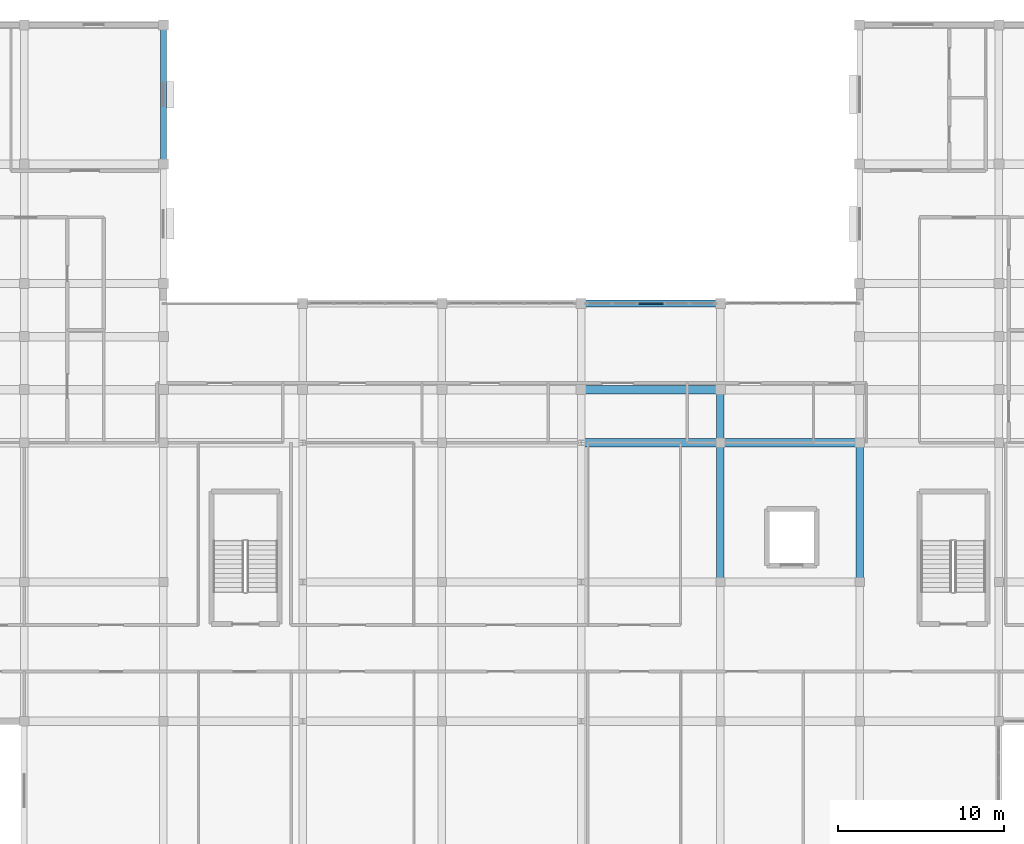
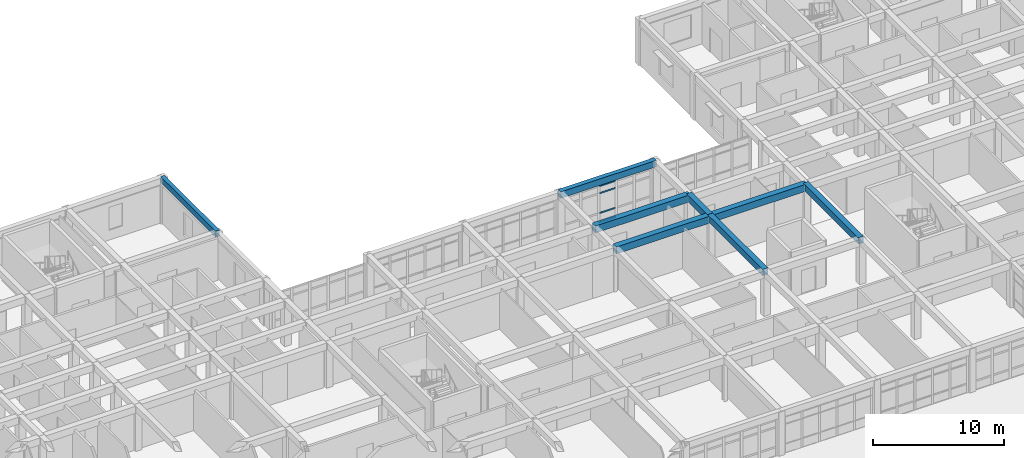
# One storey, part 22 of 77: 8 beams, 4 members, 1 element without a shape of its own.
"""IFC4 building model written with IfcOpenShell, lengths in metres."""

from ifc_helpers import new_model, si_unit, direction, frame, origin, origin_2d, place, context, subcontext, project, spatial, rectangle, extrude, material, material_profile, profile_set, type_object, element, aggregate, save


model = new_model("IFC4")

# Units and contexts
model_context = context("Model", 3, precision=1e-05, world=origin(), true_north=direction((0.0, 1.0)))
body_context = subcontext(model_context, "Body", "Model", "MODEL_VIEW")
ifc_project = project(units=[si_unit("LENGTHUNIT", "METRE"), si_unit("AREAUNIT", "SQUARE_METRE"), si_unit("VOLUMEUNIT", "CUBIC_METRE"), si_unit("PLANEANGLEUNIT", "RADIAN"), si_unit("MASSUNIT", "GRAM", prefix="KILO")], contexts=[model_context])

# Site, building, storey
site_placement = place(None, origin())
site = spatial("IfcSite", under=ifc_project, at=site_placement, CompositionType="ELEMENT")
building_placement = place(site_placement, origin())
building = spatial("IfcBuilding", under=site, at=building_placement, Name="Varncliffe General Hospital", CompositionType="ELEMENT")
storey_placement = place(building_placement, frame((0.0, 0.0, 16.199951171875)))
storey = spatial("IfcBuildingStorey", under=building, at=storey_placement, Name="L03", CompositionType="ELEMENT", Elevation=16.199951171875)

# Beams
ifc_material_1 = material(Name="Concrete C35/45 (CSA A23.1 35 MPa)", Category="concrete")
ifc_material_profile_1 = material_profile(ifc_material_1, rectangle(XDim=0.5, YDim=0.64990234375, at=origin_2d()), Name="RC 500x650")
ifc_profile_set_1 = profile_set([ifc_material_profile_1], Name="Concrete C35/45 (CSA A23.1 35 MPa)")
beam_type_1 = type_object("IfcBeamType", Name="Beam B29 (Int RC 500x650)", PredefinedType="BEAM", material=ifc_profile_set_1)
beam_1_placement = place(storey_placement, frame((92.39990234375, 99.60009765625, 3.875), z_axis=(1.0, 0.0, 0.0), x_axis=(0.0, 1.0, 0.0)))
element("IfcBeam", 1, at=beam_1_placement, inside=storey, type_object=beam_type_1, Name="L03 Primary Beam B29-115", PredefinedType="BEAM", context=body_context, shape_type="SweptSolid", body=[
    extrude(rectangle(XDim=0.5, YDim=0.64990234375, at=origin_2d()), origin(), (0.0, 0.0, 1.0), 8.400146484375),
])
beam_2_placement = place(storey_placement, frame((100.800048828125, 99.60009765625, 3.875), z_axis=(1.0, 0.0, 0.0), x_axis=(0.0, 1.0, 0.0)))
element("IfcBeam", 2, at=beam_2_placement, inside=storey, type_object=beam_type_1, Name="L03 Primary Beam B29-116", PredefinedType="BEAM", context=body_context, shape_type="SweptSolid", body=[
    extrude(rectangle(XDim=0.5, YDim=0.64990234375, at=origin_2d()), origin(), (0.0, 0.0, 1.0), 8.39990234375),
])
beam_3_placement = place(storey_placement, frame((92.39990234375, 102.800048828125, 3.875), z_axis=(1.0, 0.0, 0.0), x_axis=(0.0, 1.0, 0.0)))
element("IfcBeam", 3, at=beam_3_placement, inside=storey, type_object=beam_type_1, Name="L03 Primary Beam B29-136", PredefinedType="BEAM", context=body_context, shape_type="SweptSolid", body=[
    extrude(rectangle(XDim=0.5, YDim=0.64990234375, at=origin_2d()), origin(), (0.0, 0.0, 1.0), 8.400146484375),
])
ifc_material_profile_2 = material_profile(ifc_material_1, rectangle(XDim=0.449951171875, YDim=0.60009765625, at=origin_2d()), Name="RC 450x600")
ifc_profile_set_2 = profile_set([ifc_material_profile_2], Name="Concrete C35/45 (CSA A23.1 35 MPa)")
beam_type_2 = type_object("IfcBeamType", Name="Beam B47 (Int RC 450x600)", PredefinedType="BEAM", material=ifc_profile_set_2)
beam_4_placement = place(storey_placement, frame((100.800048828125, 91.199951171875, 3.900146484375), z_axis=(0.0, 1.0, 0.0), x_axis=(-1.0, 0.0, 0.0)))
element("IfcBeam", 4, at=beam_4_placement, inside=storey, type_object=beam_type_2, Name="L03 Primary Beam B47-315", PredefinedType="BEAM", context=body_context, shape_type="SweptSolid", body=[
    extrude(rectangle(XDim=0.449951171875, YDim=0.60009765625, at=origin_2d()), origin(), (0.0, 0.0, 1.0), 8.400146484375),
])
beam_5_placement = place(storey_placement, frame((100.800048828125, 99.60009765625, 3.900146484375), z_axis=(0.0, 1.0, 0.0), x_axis=(-1.0, 0.0, 0.0)))
element("IfcBeam", 5, at=beam_5_placement, inside=storey, type_object=beam_type_2, Name="L03 Primary Beam B47-316", PredefinedType="BEAM", context=body_context, shape_type="SweptSolid", body=[
    extrude(rectangle(XDim=0.449951171875, YDim=0.60009765625, at=origin_2d()), origin(), (0.0, 0.0, 1.0), 3.199951171875),
])
beam_6_placement = place(storey_placement, frame((109.199951171875, 91.199951171875, 3.900146484375), z_axis=(0.0, 1.0, 0.0), x_axis=(-1.0, 0.0, 0.0)))
element("IfcBeam", 6, at=beam_6_placement, inside=storey, type_object=beam_type_2, Name="L03 Primary Beam B47-320", PredefinedType="BEAM", context=body_context, shape_type="SweptSolid", body=[
    extrude(rectangle(XDim=0.449951171875, YDim=0.60009765625, at=origin_2d()), origin(), (0.0, 0.0, 1.0), 8.400146484375),
])

# Curtain wall, members
ifc_material_2 = material(Name="Triple low-E argon insulated vision glazing", Category="glass")
curtain_wall_type = type_object("IfcCurtainWallType", Name="Unitised Glazed Curtain Wall CW36 (7804x3440)", PredefinedType="USERDEFINED", material=ifc_material_2)
curtain_wall_placement = place(storey_placement, origin())
curtain_wall = element("IfcCurtainWall", 7, at=curtain_wall_placement, inside=storey, type_object=curtain_wall_type, Name="L03 Glazed Curtain Wall CW36-156", ObjectType="GLAZED CURTAIN WALL", PredefinedType="USERDEFINED")
ifc_material_3 = material(Name="Dark bronze thermally broken aluminium framing", Category="aluminium")
ifc_material_profile_3 = material_profile(ifc_material_3, rectangle(XDim=0.06494140625, YDim=0.139892578125, at=origin_2d()), Name="ALU 65x140")
ifc_profile_set_3 = profile_set([ifc_material_profile_3], Name="Dark bronze thermally broken aluminium framing")
member_type = type_object("IfcMemberType", Name="Curtain Wall Transom CT69 (ALU 65x140)", PredefinedType="USERDEFINED", material=ifc_profile_set_3)
member_1_placement = place(storey_placement, frame((95.857177734375, 108.0, 0.032470703125), z_axis=(1.0, 0.0, 0.0), x_axis=(0.0, 1.0, 0.0)))
member_1 = element("IfcMember", 8, at=member_1_placement, type_object=member_type, Name="CW36 transom 3.1", ObjectType="TRANSOM", PredefinedType="USERDEFINED", context=body_context, shape_type="SweptSolid", body=[
    extrude(rectangle(XDim=0.06494140625, YDim=0.139892578125, at=origin_2d()), origin(), (0.0, 0.0, 1.0), 1.48583984375),
])
member_2_placement = place(storey_placement, frame((95.857177734375, 108.0, 0.900146484375), z_axis=(1.0, 0.0, 0.0), x_axis=(0.0, 1.0, 0.0)))
member_2 = element("IfcMember", 9, at=member_2_placement, type_object=member_type, Name="CW36 transom 3.2", ObjectType="TRANSOM", PredefinedType="USERDEFINED", context=body_context, shape_type="SweptSolid", body=[
    extrude(rectangle(XDim=0.06494140625, YDim=0.139892578125, at=origin_2d()), origin(), (0.0, 0.0, 1.0), 1.48583984375),
])
member_3_placement = place(storey_placement, frame((95.857177734375, 108.0, 2.739990234375), z_axis=(1.0, 0.0, 0.0), x_axis=(0.0, 1.0, 0.0)))
member_3 = element("IfcMember", 10, at=member_3_placement, type_object=member_type, Name="CW36 transom 3.3", ObjectType="TRANSOM", PredefinedType="USERDEFINED", context=body_context, shape_type="SweptSolid", body=[
    extrude(rectangle(XDim=0.06494140625, YDim=0.139892578125, at=origin_2d()), origin(), (0.0, 0.0, 1.0), 1.48583984375),
])
member_4_placement = place(storey_placement, frame((95.857177734375, 108.0, 3.407470703125), z_axis=(1.0, 0.0, 0.0), x_axis=(0.0, 1.0, 0.0)))
member_4 = element("IfcMember", 11, at=member_4_placement, type_object=member_type, Name="CW36 transom 3.4", ObjectType="TRANSOM", PredefinedType="USERDEFINED", context=body_context, shape_type="SweptSolid", body=[
    extrude(rectangle(XDim=0.06494140625, YDim=0.139892578125, at=origin_2d()), origin(), (0.0, 0.0, 1.0), 1.48583984375),
])
aggregate(curtain_wall, [member_1, member_2, member_3, member_4])

# Beams
ifc_material_profile_4 = material_profile(ifc_material_1, rectangle(XDim=0.35009765625, YDim=0.550048828125, at=origin_2d()), Name="RC 350x550")
ifc_profile_set_4 = profile_set([ifc_material_profile_4], Name="Concrete C35/45 (CSA A23.1 35 MPa)")
beam_type_3 = type_object("IfcBeamType", Name="Spandrel SP20 (Ext RC 350x550)", PredefinedType="SPANDREL", material=ifc_profile_set_4)
beam_7_placement = place(storey_placement, frame((67.199951171875, 116.39990234375, 3.925048828125), z_axis=(0.0, 1.0, 0.0), x_axis=(-1.0, 0.0, 0.0)))
element("IfcBeam", 12, at=beam_7_placement, inside=storey, type_object=beam_type_3, Name="L03 Spandrel Beam SP20-297", PredefinedType="SPANDREL", context=body_context, shape_type="SweptSolid", body=[
    extrude(rectangle(XDim=0.35009765625, YDim=0.550048828125, at=origin_2d()), origin(), (0.0, 0.0, 1.0), 8.400146484375),
])
ifc_material_profile_5 = material_profile(ifc_material_1, rectangle(XDim=0.39990234375, YDim=0.60009765625, at=origin_2d()), Name="RC 400x600")
ifc_profile_set_5 = profile_set([ifc_material_profile_5], Name="Concrete C35/45 (CSA A23.1 35 MPa)")
beam_type_4 = type_object("IfcBeamType", Name="Spandrel SP58 (Ext RC 400x600B)", PredefinedType="SPANDREL", material=ifc_profile_set_5)
beam_8_placement = place(storey_placement, frame((92.39990234375, 108.0, 3.900146484375), z_axis=(1.0, 0.0, 0.0), x_axis=(0.0, 1.0, 0.0)))
element("IfcBeam", 13, at=beam_8_placement, inside=storey, type_object=beam_type_4, Name="L03 Spandrel Beam SP58-164", PredefinedType="SPANDREL", context=body_context, shape_type="SweptSolid", body=[
    extrude(rectangle(XDim=0.39990234375, YDim=0.60009765625, at=origin_2d()), origin(), (0.0, 0.0, 1.0), 8.400146484375),
])

save(model, "model.ifc")
